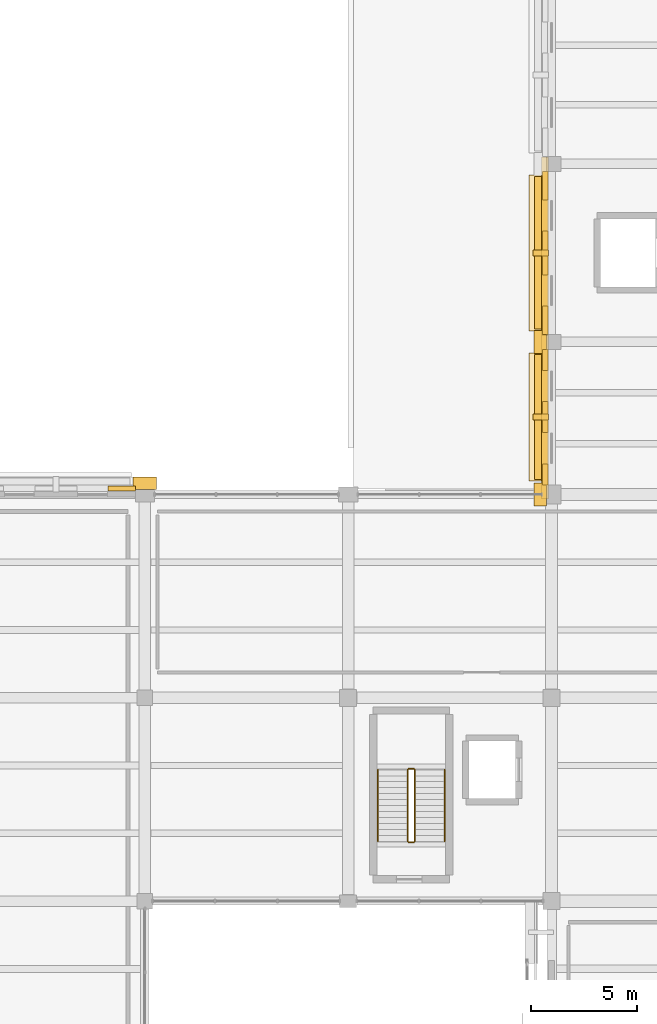
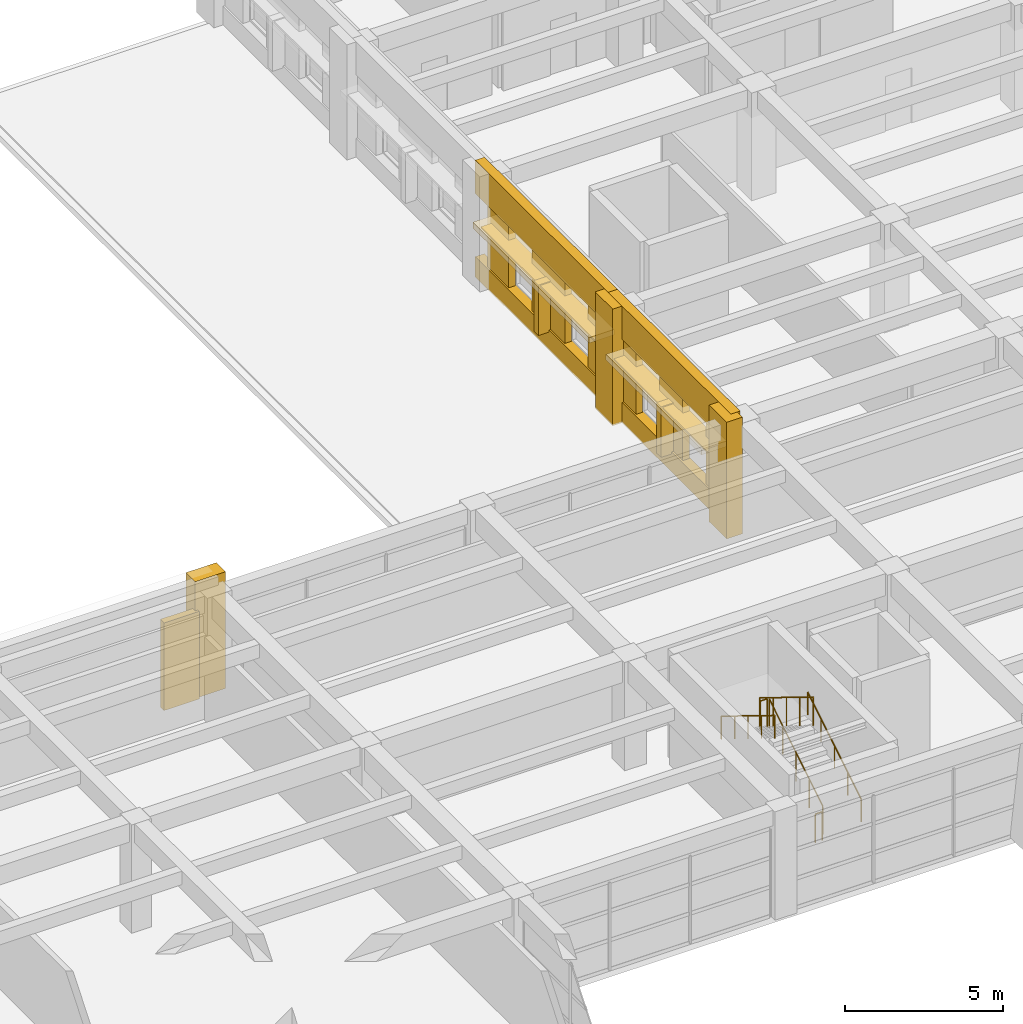
# One storey, part 43 of 49: 18 coverings, 6 railings, 2 shading devices.
"""IFC4 building model written with IfcOpenShell, lengths in metres."""

from ifc_helpers import new_model, si_unit, direction, frame, origin, origin_2d, place, context, subcontext, project, spatial, rectangle, circle, extrude, material, layer, layer_set, type_object, element, save


model = new_model("IFC4")

# Units and contexts
model_context = context("Model", 3, precision=1e-05, world=origin(), true_north=direction((0.0, 1.0)))
body_context = subcontext(model_context, "Body", "Model", "MODEL_VIEW")
ifc_project = project(units=[si_unit("LENGTHUNIT", "METRE"), si_unit("AREAUNIT", "SQUARE_METRE"), si_unit("VOLUMEUNIT", "CUBIC_METRE"), si_unit("PLANEANGLEUNIT", "RADIAN"), si_unit("MASSUNIT", "GRAM", prefix="KILO")], contexts=[model_context])

# Site, building, storey
site_placement = place(None, origin())
site = spatial("IfcSite", under=ifc_project, at=site_placement, CompositionType="ELEMENT")
building_placement = place(site_placement, origin())
building = spatial("IfcBuilding", under=site, at=building_placement, Name="Bempovik Park Faculty of Sciences", CompositionType="ELEMENT")
storey_placement = place(building_placement, frame((0.0, 0.0, 5.39990234375)))
storey = spatial("IfcBuildingStorey", under=building, at=storey_placement, Name="L01", CompositionType="ELEMENT", Elevation=5.39990234375)

# Coverings
ifc_material_1 = material(Name="Precast concrete C40/50", Category="concrete")
ifc_layer_1 = layer(ifc_material_1, 0.179931640625)
ifc_layer_set_1 = layer_set([ifc_layer_1], Name="Precast concrete C40/50")
covering_type_1 = type_object("IfcCoveringType", Name="CL-02 Classical Cornice Band 180mm", PredefinedType="CLADDING", material=ifc_layer_set_1)
covering_1_placement = place(storey_placement, frame((59.39990234375, 90.64990234375, 2.6103515625), z_axis=(0.0, 0.0, 1.0), x_axis=(1.0, 0.0, 0.0)))
element("IfcCovering", 1, at=covering_1_placement, inside=storey, type_object=covering_type_1, Name="L01 Classical Stone Solar Window Hood EW-L01-6617", PredefinedType="CLADDING", context=body_context, shape_type="SweptSolid", body=[
    extrude(rectangle(XDim=0.919921875, YDim=6.0458984375, at=origin_2d()), origin(), (0.0, 0.0, 1.0), 0.219970703125),
])
covering_2_placement = place(storey_placement, frame((59.39990234375, 98.39990234375, 2.6103515625), z_axis=(0.0, 0.0, 1.0), x_axis=(1.0, 0.0, 0.0)))
element("IfcCovering", 2, at=covering_2_placement, inside=storey, type_object=covering_type_1, Name="L01 Classical Stone Solar Window Hood EW-L01-6630", PredefinedType="CLADDING", context=body_context, shape_type="SweptSolid", body=[
    extrude(rectangle(XDim=0.919921875, YDim=7.345947265625, at=origin_2d()), origin(), (0.0, 0.0, 1.0), 0.219970703125),
])
ifc_material_2 = material(Name="White reconstituted limestone precast C40/50", Category="masonry")
ifc_layer_2 = layer(ifc_material_2, 0.239990234375)
ifc_layer_set_2 = layer_set([ifc_layer_2], Name="White reconstituted limestone precast C40/50")
covering_type_2 = type_object("IfcCoveringType", Name="CL-03 Classical Fluted Limestone Pilaster 240mm", PredefinedType="CLADDING", material=ifc_layer_set_2)
covering_3_placement = place(storey_placement, frame((40.800048828125, 87.530029296875, 0.0), z_axis=(0.0, 0.0, 1.0), x_axis=(1.0, 0.0, 0.0)))
element("IfcCovering", 3, at=covering_3_placement, inside=storey, type_object=covering_type_2, Name="L01 Classical Fluted Stone Pilaster PIL-BA-L01-408-875", PredefinedType="CLADDING", context=body_context, shape_type="SweptSolid", body=[
    extrude(rectangle(XDim=1.10009765625, YDim=0.580078125, at=origin_2d()), origin(), (0.0, 0.0, 1.0), 4.5),
])
covering_4_placement = place(storey_placement, frame((39.7060546875, 87.27001953125, 0.000244140625), z_axis=(0.0, 0.0, 1.0), x_axis=(1.0, 0.0, 0.0)))
element("IfcCovering", 4, at=covering_4_placement, inside=storey, type_object=covering_type_2, Name="L01 White Limestone Wall Cheek EW-L01-6568-4", PredefinedType="CLADDING", context=body_context, shape_type="SweptSolid", body=[
    extrude(rectangle(XDim=1.283935546875, YDim=0.239990234375, at=origin_2d()), origin(), (0.0, 0.0, 1.0), 3.3798828125),
])
covering_5_placement = place(storey_placement, frame((59.68994140625, 90.64990234375, 3.22021484375), z_axis=(0.0, 0.0, 1.0), x_axis=(1.0, 0.0, 0.0)))
element("IfcCovering", 5, at=covering_5_placement, inside=storey, type_object=covering_type_2, Name="L01 Classical Limestone Spandrel Entablature EW-L01-6617", PredefinedType="CLADDING", context=body_context, shape_type="SweptSolid", body=[
    extrude(rectangle(XDim=0.340087890625, YDim=7.74609375, at=origin_2d()), origin(), (0.0, 0.0, 1.0), 1.280029296875),
])
covering_6_placement = place(storey_placement, frame((59.68994140625, 90.64990234375, 0.0), z_axis=(0.0, 0.0, 1.0), x_axis=(1.0, 0.0, 0.0)))
element("IfcCovering", 6, at=covering_6_placement, inside=storey, type_object=covering_type_2, Name="L01 Classical Limestone Sill Dado EW-L01-6617", PredefinedType="CLADDING", context=body_context, shape_type="SweptSolid", body=[
    extrude(rectangle(XDim=0.340087890625, YDim=7.74609375, at=origin_2d()), origin(), (0.0, 0.0, 1.0), 0.780029296875),
])
for number, where, z_axis, x_axis, name in (
    (7, (59.469970703125, 87.0, 0.0), (0.0, 0.0, 1.0), (1.0, 0.0, 0.0), "L01 Classical Fluted Stone Pilaster PIL-BA-L01-595-870"),
    (8, (59.469970703125, 94.199951171875, 0.0), (0.0, 0.0, 1.0), (1.0, 0.0, 0.0), "L01 Classical Fluted Stone Pilaster PIL-BA-L01-595-942"),
):
    element("IfcCovering", number, at=place(storey_placement, frame(where, z_axis=z_axis, x_axis=x_axis)), inside=storey, type_object=covering_type_2, Name=name, PredefinedType="CLADDING", context=body_context, shape_type="SweptSolid", body=[
        extrude(rectangle(XDim=0.580078125, YDim=1.10009765625, at=origin_2d()), origin(), (0.0, 0.0, 1.0), 4.5),
    ])
covering_7_placement = place(storey_placement, frame((59.699951171875, 87.9453125, 0.000244140625), z_axis=(0.0, 0.0, 1.0), x_axis=(1.0, 0.0, 0.0)))
element("IfcCovering", 9, at=covering_7_placement, inside=storey, type_object=covering_type_2, Name="L01 White Limestone Wall Cheek EW-L01-6617-0", PredefinedType="CLADDING", context=body_context, shape_type="SweptSolid", body=[
    extrude(rectangle(XDim=0.239990234375, YDim=0.98681640625, at=origin_2d()), origin(), (0.0, 0.0, 1.0), 3.3798828125),
])
covering_8_placement = place(storey_placement, frame((59.699951171875, 90.64990234375, 0.000244140625), z_axis=(0.0, 0.0, 1.0), x_axis=(1.0, 0.0, 0.0)))
element("IfcCovering", 10, at=covering_8_placement, inside=storey, type_object=covering_type_2, Name="L01 White Limestone Wall Cheek EW-L01-6617-2", PredefinedType="CLADDING", context=body_context, shape_type="SweptSolid", body=[
    extrude(rectangle(XDim=0.239990234375, YDim=1.462158203125, at=origin_2d()), origin(), (0.0, 0.0, 1.0), 3.3798828125),
])
covering_9_placement = place(storey_placement, frame((59.699951171875, 93.3544921875, 0.000244140625), z_axis=(0.0, 0.0, 1.0), x_axis=(1.0, 0.0, 0.0)))
element("IfcCovering", 11, at=covering_9_placement, inside=storey, type_object=covering_type_2, Name="L01 White Limestone Wall Cheek EW-L01-6617-4", PredefinedType="CLADDING", context=body_context, shape_type="SweptSolid", body=[
    extrude(rectangle(XDim=0.239990234375, YDim=0.98681640625, at=origin_2d()), origin(), (0.0, 0.0, 1.0), 3.3798828125),
])
covering_10_placement = place(storey_placement, frame((59.489990234375, 90.64990234375, 0.7001953125), z_axis=(0.0, 0.0, 1.0), x_axis=(1.0, 0.0, 0.0)))
element("IfcCovering", 12, at=covering_10_placement, inside=storey, type_object=covering_type_2, Name="L01 Classical Vertical Stone Shading Fin EW-L01-6617", PredefinedType="CLADDING", context=body_context, shape_type="SweptSolid", body=[
    extrude(rectangle(XDim=0.719970703125, YDim=0.280029296875, at=origin_2d()), origin(), (0.0, 0.0, 1.0), 1.949951171875),
])
covering_11_placement = place(storey_placement, frame((59.68994140625, 98.39990234375, 3.22021484375), z_axis=(0.0, 0.0, 1.0), x_axis=(1.0, 0.0, 0.0)))
element("IfcCovering", 13, at=covering_11_placement, inside=storey, type_object=covering_type_2, Name="L01 Classical Limestone Spandrel Entablature EW-L01-6630", PredefinedType="CLADDING", context=body_context, shape_type="SweptSolid", body=[
    extrude(rectangle(XDim=0.340087890625, YDim=9.0458984375, at=origin_2d()), origin(), (0.0, 0.0, 1.0), 1.280029296875),
])
covering_12_placement = place(storey_placement, frame((59.68994140625, 98.39990234375, 0.0), z_axis=(0.0, 0.0, 1.0), x_axis=(1.0, 0.0, 0.0)))
element("IfcCovering", 14, at=covering_12_placement, inside=storey, type_object=covering_type_2, Name="L01 Classical Limestone Sill Dado EW-L01-6630", PredefinedType="CLADDING", context=body_context, shape_type="SweptSolid", body=[
    extrude(rectangle(XDim=0.340087890625, YDim=9.0458984375, at=origin_2d()), origin(), (0.0, 0.0, 1.0), 0.780029296875),
])
covering_13_placement = place(storey_placement, frame((59.699951171875, 95.220947265625, 0.000244140625), z_axis=(0.0, 0.0, 1.0), x_axis=(1.0, 0.0, 0.0)))
element("IfcCovering", 15, at=covering_13_placement, inside=storey, type_object=covering_type_2, Name="L01 White Limestone Wall Cheek EW-L01-6630-0", PredefinedType="CLADDING", context=body_context, shape_type="SweptSolid", body=[
    extrude(rectangle(XDim=0.239990234375, YDim=1.337890625, at=origin_2d()), origin(), (0.0, 0.0, 1.0), 3.3798828125),
])
covering_14_placement = place(storey_placement, frame((59.699951171875, 98.39990234375, 0.000244140625), z_axis=(0.0, 0.0, 1.0), x_axis=(1.0, 0.0, 0.0)))
element("IfcCovering", 16, at=covering_14_placement, inside=storey, type_object=covering_type_2, Name="L01 White Limestone Wall Cheek EW-L01-6630-2", PredefinedType="CLADDING", context=body_context, shape_type="SweptSolid", body=[
    extrude(rectangle(XDim=0.239990234375, YDim=2.060302734375, at=origin_2d()), origin(), (0.0, 0.0, 1.0), 3.3798828125),
])
covering_15_placement = place(storey_placement, frame((59.699951171875, 101.5791015625, 0.000244140625), z_axis=(0.0, 0.0, 1.0), x_axis=(1.0, 0.0, 0.0)))
element("IfcCovering", 17, at=covering_15_placement, inside=storey, type_object=covering_type_2, Name="L01 White Limestone Wall Cheek EW-L01-6630-4", PredefinedType="CLADDING", context=body_context, shape_type="SweptSolid", body=[
    extrude(rectangle(XDim=0.239990234375, YDim=1.337890625, at=origin_2d()), origin(), (0.0, 0.0, 1.0), 3.3798828125),
])
covering_16_placement = place(storey_placement, frame((59.489990234375, 98.39990234375, 0.7001953125), z_axis=(0.0, 0.0, 1.0), x_axis=(1.0, 0.0, 0.0)))
element("IfcCovering", 18, at=covering_16_placement, inside=storey, type_object=covering_type_2, Name="L01 Classical Vertical Stone Shading Fin EW-L01-6630", PredefinedType="CLADDING", context=body_context, shape_type="SweptSolid", body=[
    extrude(rectangle(XDim=0.719970703125, YDim=0.280029296875, at=origin_2d()), origin(), (0.0, 0.0, 1.0), 1.949951171875),
])

# Railings
ifc_material_3 = material(Name="Anodised architectural bronze")
railing_type_1 = type_object("IfcRailingType", Name="GR-01 Guardrail 1120mm", PredefinedType="GUARDRAIL", material=ifc_material_3)
railing_1_placement = place(storey_placement, frame((53.550048828125, 70.625, 0.173095703125)))
element("IfcRailing", 19, at=railing_1_placement, inside=storey, type_object=railing_type_1, Name="L01 ST-4 Stair Guard 1", PredefinedType="GUARDRAIL", context=body_context, shape_type="SweptSolid", body=[
    extrude(circle(Radius=0.02392578125, at=origin_2d()), frame((0.0, 0.0, 1.09619140625), z_axis=(0.0, 0.851660431972, 0.524093988338), x_axis=(-1.0, 0.0, 0.0)), (0.0, 0.0, 1.0), 3.962890625),
    extrude(circle(Radius=0.02099609375, at=origin_2d()), origin(), (0.0, 0.0, 1.0), 1.072021484375),
    extrude(circle(Radius=0.02099609375, at=origin_2d()), frame((0.0, 0.84375, 0.519287109375)), (0.0, 0.0, 1.0), 1.072021484375),
    extrude(circle(Radius=0.02099609375, at=origin_2d()), frame((0.0, 1.6875, 1.03857421875)), (0.0, 0.0, 1.0), 1.072021484375),
    extrude(circle(Radius=0.02099609375, at=origin_2d()), frame((0.0, 2.53125, 1.5576171875)), (0.0, 0.0, 1.0), 1.072021484375),
    extrude(circle(Radius=0.02099609375, at=origin_2d()), frame((0.0, 3.375, 2.076904296875)), (0.0, 0.0, 1.0), 1.072021484375),
])
railing_2_placement = place(storey_placement, frame((53.5, 74.050048828125, 2.25)))
element("IfcRailing", 20, at=railing_2_placement, inside=storey, type_object=railing_type_1, Name="L01 ST-4 Stair Guard 2", PredefinedType="GUARDRAIL", context=body_context, shape_type="SweptSolid", body=[
    extrude(circle(Radius=0.02392578125, at=origin_2d()), frame((0.0, 0.0, 1.09619140625), z_axis=(-1.0, 0.0, 0.0), x_axis=(0.0, -1.0, 0.0)), (0.0, 0.0, 1.0), 0.25),
    extrude(circle(Radius=0.02099609375, at=origin_2d()), origin(), (0.0, 0.0, 1.0), 1.072021484375),
    extrude(circle(Radius=0.02099609375, at=origin_2d()), frame((-0.25, 0.0, 0.0)), (0.0, 0.0, 1.0), 1.072021484375),
])
railing_3_placement = place(storey_placement, frame((53.199951171875, 74.0, 2.423095703125)))
element("IfcRailing", 21, at=railing_3_placement, inside=storey, type_object=railing_type_1, Name="L01 ST-4 Stair Guard 3", PredefinedType="GUARDRAIL", context=body_context, shape_type="SweptSolid", body=[
    extrude(circle(Radius=0.02392578125, at=origin_2d()), frame((0.0, 0.0, 1.09619140625), z_axis=(0.0, -0.851660431972, 0.524093988338), x_axis=(1.0, 0.0, 0.0)), (0.0, 0.0, 1.0), 3.962890625),
    extrude(circle(Radius=0.02099609375, at=origin_2d()), origin(), (0.0, 0.0, 1.0), 1.072021484375),
    extrude(circle(Radius=0.02099609375, at=origin_2d()), frame((0.0, -0.84375, 0.519287109375)), (0.0, 0.0, 1.0), 1.072021484375),
    extrude(circle(Radius=0.02099609375, at=origin_2d()), frame((0.0, -1.6875, 1.03857421875)), (0.0, 0.0, 1.0), 1.072021484375),
    extrude(circle(Radius=0.02099609375, at=origin_2d()), frame((0.0, -2.53125, 1.5576171875)), (0.0, 0.0, 1.0), 1.072021484375),
    extrude(circle(Radius=0.02099609375, at=origin_2d()), frame((0.0, -3.375, 2.076904296875)), (0.0, 0.0, 1.0), 1.072021484375),
])
railing_4_placement = place(storey_placement, frame((53.5, 70.574951171875, 0.0)))
element("IfcRailing", 22, at=railing_4_placement, inside=storey, type_object=railing_type_1, Name="L01 ST-4 Stair Guard 4", PredefinedType="GUARDRAIL", context=body_context, shape_type="SweptSolid", body=[
    extrude(circle(Radius=0.02392578125, at=origin_2d()), frame((0.0, 0.0, 1.09619140625), z_axis=(-1.0, 0.0, 0.0), x_axis=(0.0, -1.0, 0.0)), (0.0, 0.0, 1.0), 0.25),
    extrude(circle(Radius=0.02099609375, at=origin_2d()), origin(), (0.0, 0.0, 1.0), 1.072021484375),
    extrude(circle(Radius=0.02099609375, at=origin_2d()), frame((-0.25, 0.0, 0.0)), (0.0, 0.0, 1.0), 1.072021484375),
])
railing_type_2 = type_object("IfcRailingType", Name="HR-01 Wall Handrail 900mm", PredefinedType="HANDRAIL", material=ifc_material_3)
railing_5_placement = place(storey_placement, frame((54.949951171875, 70.625, 0.173095703125)))
element("IfcRailing", 23, at=railing_5_placement, inside=storey, type_object=railing_type_2, Name="L01 ST-4 Stair Handrail 1", PredefinedType="HANDRAIL", context=body_context, shape_type="SweptSolid", body=[
    extrude(circle(Radius=0.02392578125, at=origin_2d()), frame((0.0, 0.0, 0.8759765625), z_axis=(0.0, 0.851660431972, 0.524093988338), x_axis=(-1.0, 0.0, 0.0)), (0.0, 0.0, 1.0), 3.962890625),
    extrude(circle(Radius=0.02099609375, at=origin_2d()), origin(), (0.0, 0.0, 1.0), 0.851806640625),
    extrude(circle(Radius=0.02099609375, at=origin_2d()), frame((0.0, 0.84375, 0.519287109375)), (0.0, 0.0, 1.0), 0.851806640625),
    extrude(circle(Radius=0.02099609375, at=origin_2d()), frame((0.0, 1.6875, 1.03857421875)), (0.0, 0.0, 1.0), 0.851806640625),
    extrude(circle(Radius=0.02099609375, at=origin_2d()), frame((0.0, 2.53125, 1.5576171875)), (0.0, 0.0, 1.0), 0.851806640625),
    extrude(circle(Radius=0.02099609375, at=origin_2d()), frame((0.0, 3.375, 2.076904296875)), (0.0, 0.0, 1.0), 0.851806640625),
])
railing_6_placement = place(storey_placement, frame((51.800048828125, 74.0, 2.423095703125)))
element("IfcRailing", 24, at=railing_6_placement, inside=storey, type_object=railing_type_2, Name="L01 ST-4 Stair Handrail 2", PredefinedType="HANDRAIL", context=body_context, shape_type="SweptSolid", body=[
    extrude(circle(Radius=0.02392578125, at=origin_2d()), frame((0.0, 0.0, 0.8759765625), z_axis=(0.0, -0.851660431972, 0.524093988338), x_axis=(1.0, 0.0, 0.0)), (0.0, 0.0, 1.0), 3.962890625),
    extrude(circle(Radius=0.02099609375, at=origin_2d()), origin(), (0.0, 0.0, 1.0), 0.851806640625),
    extrude(circle(Radius=0.02099609375, at=origin_2d()), frame((0.0, -0.84375, 0.519287109375)), (0.0, 0.0, 1.0), 0.851806640625),
    extrude(circle(Radius=0.02099609375, at=origin_2d()), frame((0.0, -1.6875, 1.03857421875)), (0.0, 0.0, 1.0), 0.851806640625),
    extrude(circle(Radius=0.02099609375, at=origin_2d()), frame((0.0, -2.53125, 1.5576171875)), (0.0, 0.0, 1.0), 0.851806640625),
    extrude(circle(Radius=0.02099609375, at=origin_2d()), frame((0.0, -3.375, 2.076904296875)), (0.0, 0.0, 1.0), 0.851806640625),
])

# Shading devices
ifc_layer_3 = layer(ifc_material_3, 0.06005859375)
ifc_layer_set_3 = layer_set([ifc_layer_3], Name="Anodised architectural bronze")
shading_device_type = type_object("IfcShadingDeviceType", Name="SH-01 Bronze Brise-Soleil Fin", PredefinedType="USERDEFINED", material=ifc_layer_set_3)
shading_device_1_placement = place(storey_placement, frame((59.52001953125, 90.64990234375, 2.550048828125), z_axis=(0.0, 0.0, 1.0), x_axis=(1.0, 0.0, 0.0)))
element("IfcShadingDevice", 25, at=shading_device_1_placement, inside=storey, type_object=shading_device_type, Name="L01 Equatorial Bronze Brise-Soleil EW-L01-6617", ObjectType="BRISE SOLEIL", PredefinedType="USERDEFINED", context=body_context, shape_type="SweptSolid", body=[
    extrude(rectangle(XDim=0.64990234375, YDim=5.89599609375, at=origin_2d()), origin(), (0.0, 0.0, 1.0), 0.06005859375),
])
shading_device_2_placement = place(storey_placement, frame((59.52001953125, 98.39990234375, 2.550048828125), z_axis=(0.0, 0.0, 1.0), x_axis=(1.0, 0.0, 0.0)))
element("IfcShadingDevice", 26, at=shading_device_2_placement, inside=storey, type_object=shading_device_type, Name="L01 Equatorial Bronze Brise-Soleil EW-L01-6630", ObjectType="BRISE SOLEIL", PredefinedType="USERDEFINED", context=body_context, shape_type="SweptSolid", body=[
    extrude(rectangle(XDim=0.64990234375, YDim=7.196044921875, at=origin_2d()), origin(), (0.0, 0.0, 1.0), 0.06005859375),
])

save(model, "model.ifc")
